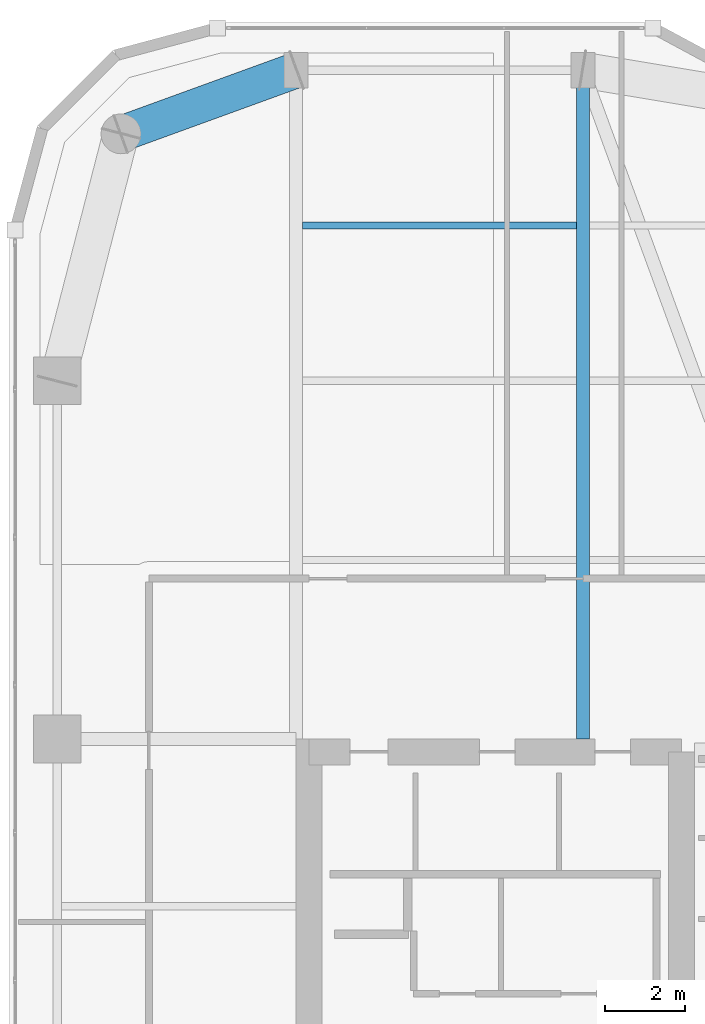
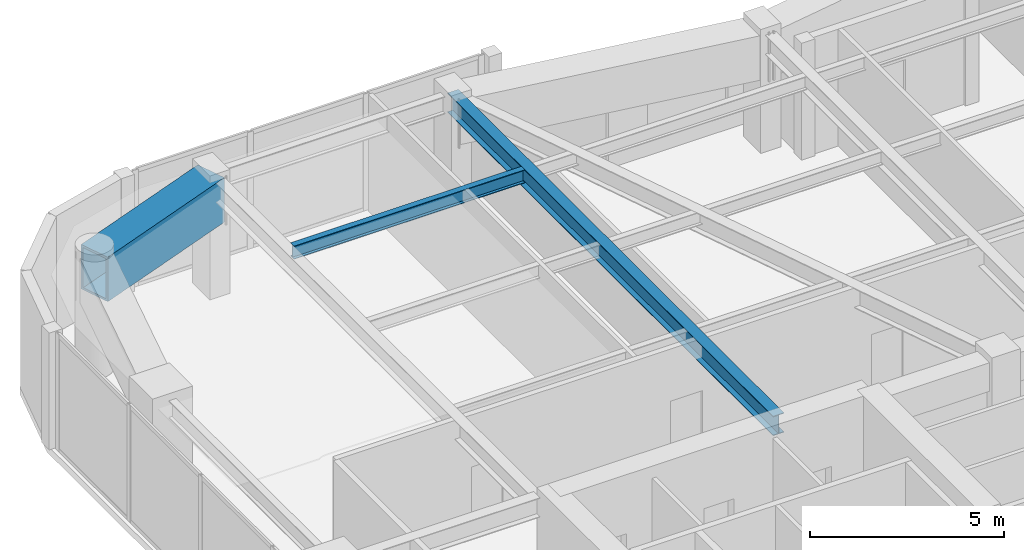
# One storey, part 9 of 21: 3 beams.
"""IFC4 building model written with IfcOpenShell, lengths in metres."""

from ifc_helpers import new_model, si_unit, direction, frame, origin, origin_2d, place, context, subcontext, project, spatial, hollow_rectangle, i_section, extrude, material, material_profile, profile_set, type_object, element, save


model = new_model("IFC4")

# Units and contexts
model_context = context("Model", 3, precision=1e-05, world=origin(), true_north=direction((0.0, 1.0)))
body_context = subcontext(model_context, "Body", "Model", "MODEL_VIEW")
ifc_project = project(units=[si_unit("LENGTHUNIT", "METRE"), si_unit("AREAUNIT", "SQUARE_METRE"), si_unit("VOLUMEUNIT", "CUBIC_METRE"), si_unit("PLANEANGLEUNIT", "RADIAN"), si_unit("MASSUNIT", "GRAM", prefix="KILO")], contexts=[model_context])

# Site, building, storey
site_placement = place(None, origin())
site = spatial("IfcSite", under=ifc_project, at=site_placement, CompositionType="ELEMENT")
building_placement = place(site_placement, origin())
building = spatial("IfcBuilding", under=site, at=building_placement, Name="Kiyonajd Concourse Tower", CompositionType="ELEMENT")
storey_placement = place(building_placement, frame((0.0, 0.0, 223.199951171875)))
storey = spatial("IfcBuildingStorey", under=building, at=storey_placement, Name="L56", CompositionType="ELEMENT", Elevation=223.199951171875)

# Beams
ifc_material_1 = material(Name="Steel ASTM A992 Grade 50", Category="steel")
ifc_material_profile_1 = material_profile(ifc_material_1, i_section(OverallWidth=0.180908203125, OverallDepth=0.4169921875, WebThickness=0.010986328125, FlangeThickness=0.018310546875, at=origin_2d()), Name="W410X85")
ifc_profile_set_1 = profile_set([ifc_material_profile_1], Name="Steel ASTM A992 Grade 50")
beam_type_1 = type_object("IfcBeamType", Name="BM-JST-410", PredefinedType="JOIST", material=ifc_profile_set_1)
beam_1_placement = place(storey_placement, frame((32.56201171875, 57.300048828125, 3.471435546875), z_axis=(1.0, 0.0, 0.0), x_axis=(0.0, 1.0, 0.0)))
element("IfcBeam", 1, at=beam_1_placement, inside=storey, type_object=beam_type_1, Name="L56 Secondary Floor Joist", PredefinedType="JOIST", context=body_context, shape_type="SweptSolid", body=[
    extrude(i_section(OverallWidth=0.180908203125, OverallDepth=0.4169921875, WebThickness=0.010986328125, FlangeThickness=0.018310546875, at=origin_2d()), origin(), (0.0, 0.0, 1.0), 6.8759765625),
])
ifc_material_profile_2 = material_profile(ifc_material_1, i_section(OverallWidth=0.323974609375, OverallDepth=0.611083984375, WebThickness=0.0126953125, FlangeThickness=0.01904296875, at=origin_2d()), Name="W610X155")
ifc_profile_set_2 = profile_set([ifc_material_profile_2], Name="Steel ASTM A992 Grade 50")
beam_type_2 = type_object("IfcBeamType", Name="BM-TWR-610B", PredefinedType="BEAM", material=ifc_profile_set_2)
beam_2_placement = place(storey_placement, frame((39.60009765625, 44.39990234375, 3.37451171875), z_axis=(0.0, 1.0, 0.0), x_axis=(-1.0, 0.0, 0.0)))
element("IfcBeam", 2, at=beam_2_placement, inside=storey, type_object=beam_type_2, Name="L56 North Lease Girder", PredefinedType="BEAM", context=body_context, shape_type="SweptSolid", body=[
    extrude(i_section(OverallWidth=0.323974609375, OverallDepth=0.611083984375, WebThickness=0.0126953125, FlangeThickness=0.01904296875, at=origin_2d()), origin(), (0.0, 0.0, 1.0), 16.800048828125),
])
ifc_material_2 = material(Name="Steel ASTM A572 Grade 50", Category="steel")
ifc_material_profile_3 = material_profile(ifc_material_2, hollow_rectangle(XDim=0.89990234375, YDim=1.39990234375, WallThickness=0.070068359375, at=origin_2d()), Name="BOX-1400x900x70")
ifc_profile_set_3 = profile_set([ifc_material_profile_3], Name="Steel ASTM A572 Grade 50")
beam_type_3 = type_object("IfcBeamType", Name="BM-XFER-1400", PredefinedType="BEAM", material=ifc_profile_set_3)
beam_3_placement = place(storey_placement, frame((32.39990234375, 61.199951171875, 2.97998046875), z_axis=(-0.939801036019, -0.341722127901, 0.0), x_axis=(0.341722127901, -0.939801036019, 0.0)))
element("IfcBeam", 3, at=beam_3_placement, inside=storey, type_object=beam_type_3, Name="L56 Perimeter Bundled Tube Spandrel", PredefinedType="BEAM", context=body_context, shape_type="SweptSolid", body=[
    extrude(hollow_rectangle(XDim=0.89990234375, YDim=1.39990234375, WallThickness=0.070068359375, at=origin_2d()), origin(), (0.0, 0.0, 1.0), 4.681640625),
])

save(model, "model.ifc")
